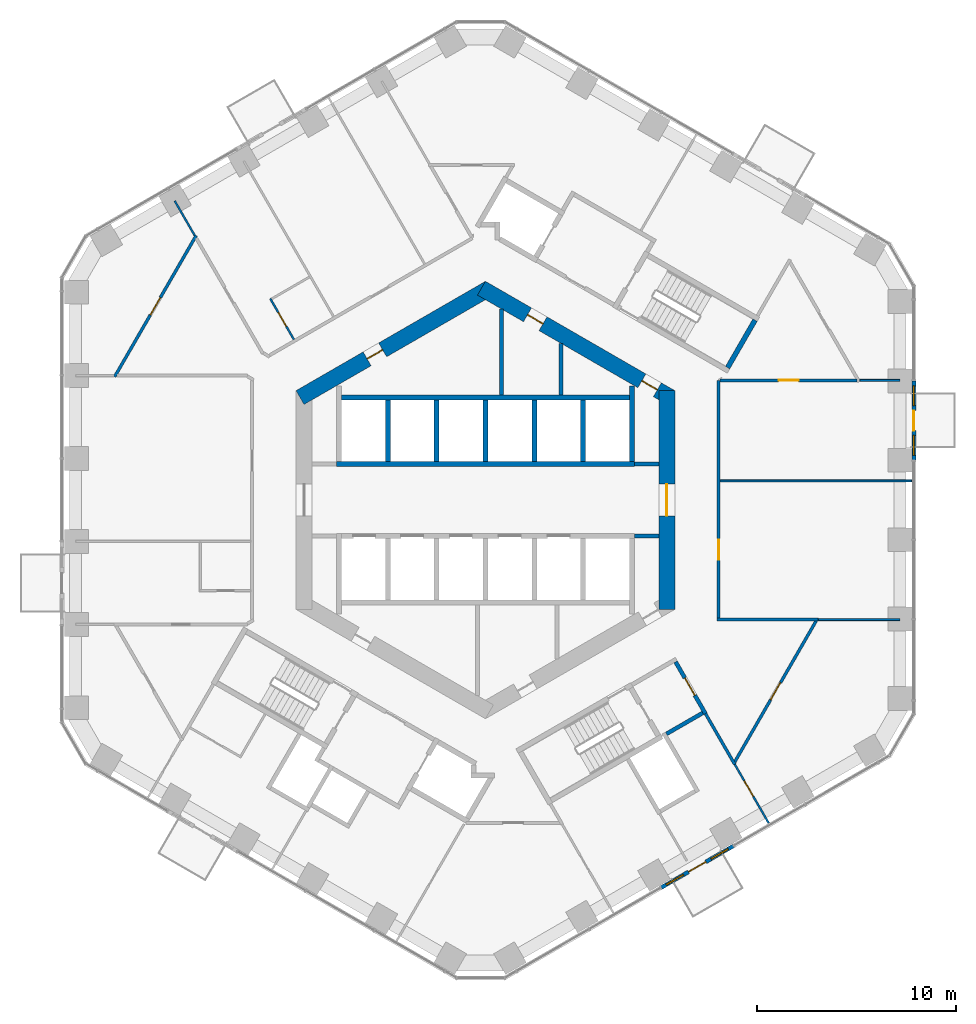
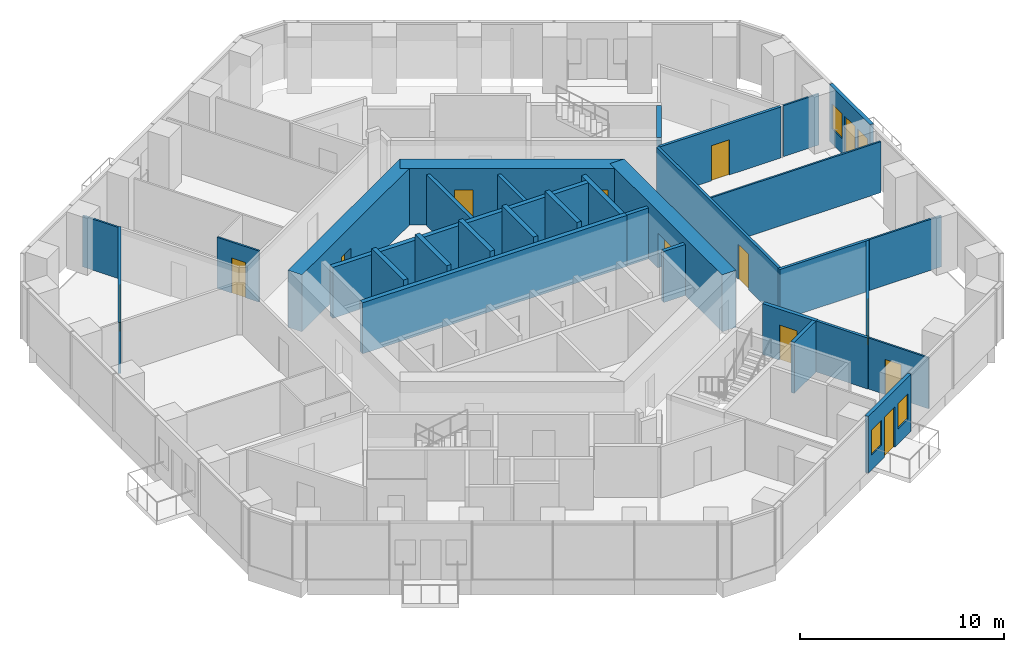
# One storey, part 14 of 19: 32 walls, 13 doors, 4 windows, 17 openings.
"""IFC4 building model written with IfcOpenShell, lengths in metres."""

from ifc_helpers import new_model, si_unit, direction, frame, frame_2d, origin, place, context, subcontext, project, spatial, rectangle, extrude, material, layer, layer_set, type_object, element, fill, save


model = new_model("IFC4")

# Units and contexts
model_context = context("Model", 3, precision=1e-05, world=origin(), true_north=direction((0.0, 1.0)))
body_context = subcontext(model_context, "Body", "Model", "MODEL_VIEW")
ifc_project = project(units=[si_unit("LENGTHUNIT", "METRE"), si_unit("AREAUNIT", "SQUARE_METRE"), si_unit("VOLUMEUNIT", "CUBIC_METRE"), si_unit("PLANEANGLEUNIT", "RADIAN"), si_unit("MASSUNIT", "GRAM", prefix="KILO")], contexts=[model_context])

# Site, building, storey
site_placement = place(None, origin())
site = spatial("IfcSite", under=ifc_project, at=site_placement, CompositionType="ELEMENT")
building_placement = place(site_placement, origin())
building = spatial("IfcBuilding", under=site, at=building_placement, Name="Ayvan Gate Tower", CompositionType="ELEMENT")
storey_placement = place(building_placement, frame((0.0, 0.0, 39.10009765625)))
storey = spatial("IfcBuildingStorey", under=building, at=storey_placement, Name="L09", CompositionType="ELEMENT", Elevation=39.10009765625)

# Wall, openings, door, windows
ifc_material_1 = material(Name="Insulated metal panel wall")
ifc_layer_1 = layer(ifc_material_1, 0.199951171875)
ifc_layer_set_1 = layer_set([ifc_layer_1], Name="Insulated metal panel wall")
wall_type_1 = type_object("IfcWallType", Name="Balcony door wall 200", PredefinedType="SOLIDWALL", material=ifc_layer_set_1)
wall_1_placement = place(storey_placement, frame((8.818603515625, -19.442626953125, 0.0), z_axis=(0.0, 0.0, 1.0), x_axis=(0.866036386482, 0.499980976928, 0.0)))
wall_1 = element("IfcWall", 1, at=wall_1_placement, inside=storey, type_object=wall_type_1, Name="EW:L09:5:2", PredefinedType="SOLIDWALL", context=body_context, shape_type="SweptSolid", body=[
    extrude(rectangle(XDim=4.169189453125, YDim=0.199951171875, at=frame_2d((2.08447265625, 0.0))), origin(), (0.0, 0.0, 1.0), 3.39990234375),
])
opening_1_placement = place(wall_1_placement, frame((1.58447265625, 0.0, 0.0)))
opening_1 = element("IfcOpeningElement", 2, at=opening_1_placement, cuts=wall_1, Name="Opening L09-D95", PredefinedType="OPENING", context=body_context, shape_type="SweptSolid", body=[
    extrude(rectangle(XDim=1.0, YDim=2.39990234375, at=frame_2d((0.5, 1.199951171875))), frame((0.0, 0.10986328125, 0.0), z_axis=(0.0, -1.0, 0.0), x_axis=(1.0, 0.0, 0.0)), (0.0, 0.0, 1.0), 0.219970703125),
])
opening_2_placement = place(wall_1_placement, frame((0.292236328125, 0.0, 0.89990234375)))
opening_2 = element("IfcOpeningElement", 3, at=opening_2_placement, cuts=wall_1, Name="Opening W-B1", PredefinedType="OPENING", context=body_context, shape_type="SweptSolid", body=[
    extrude(rectangle(XDim=1.0, YDim=1.5, at=frame_2d((0.5, 0.75))), frame((0.0, 0.10986328125, 0.0), z_axis=(0.0, -1.0, 0.0), x_axis=(1.0, 0.0, 0.0)), (0.0, 0.0, 1.0), 0.219970703125),
])
opening_3_placement = place(wall_1_placement, frame((2.876708984375, 0.0, 0.89990234375)))
opening_3 = element("IfcOpeningElement", 4, at=opening_3_placement, cuts=wall_1, Name="Opening W-B1", PredefinedType="OPENING", context=body_context, shape_type="SweptSolid", body=[
    extrude(rectangle(XDim=1.0, YDim=1.5, at=frame_2d((0.5, 0.75))), frame((0.0, 0.10986328125, 0.0), z_axis=(0.0, -1.0, 0.0), x_axis=(1.0, 0.0, 0.0)), (0.0, 0.0, 1.0), 0.219970703125),
])
ifc_material_2 = material(Name="Bronze anodised aluminium and clear glass", Category="aluminium")
door_type_1 = type_object("IfcDoorType", Name="Balcony door D-B", OperationType="SINGLE_SWING_RIGHT", PredefinedType="DOOR", material=ifc_material_2)
door_1_placement = place(opening_1_placement, origin())
door_1 = element("IfcDoor", 5, at=door_1_placement, inside=storey, type_object=door_type_1, Name="Balcony door BAL-L09-5", OperationType="SINGLE_SWING_RIGHT", OverallHeight=2.39990234375, OverallWidth=1.0, PredefinedType="DOOR", context=body_context, shape_type="SweptSolid", body=[
    extrude(rectangle(XDim=1.0, YDim=2.39990234375, at=frame_2d((0.5, 1.199951171875))), frame((0.0, 0.02490234375, 0.0), z_axis=(0.0, -1.0, 0.0), x_axis=(1.0, 0.0, 0.0)), (0.0, 0.0, 1.0), 0.050048828125),
])
fill(opening_1, door_1)
window_type = type_object("IfcWindowType", Name="Balcony side light W-B Z1", PartitioningType="SINGLE_PANEL", PredefinedType="WINDOW", material=ifc_material_2)
window_1_placement = place(opening_2_placement, origin())
window_1 = element("IfcWindow", 6, at=window_1_placement, inside=storey, type_object=window_type, Name="Balcony side light BAL-L09-5.1", OverallHeight=1.5, OverallWidth=1.0, PartitioningType="SINGLE_PANEL", PredefinedType="WINDOW", context=body_context, shape_type="SweptSolid", body=[
    extrude(rectangle(XDim=1.0, YDim=1.5, at=frame_2d((0.5, 0.75))), frame((0.0, 0.030029296875, 0.0), z_axis=(0.0, -1.0, 0.0), x_axis=(1.0, 0.0, 0.0)), (0.0, 0.0, 1.0), 0.06005859375),
])
fill(opening_2, window_1)
window_2_placement = place(opening_3_placement, origin())
window_2 = element("IfcWindow", 7, at=window_2_placement, inside=storey, type_object=window_type, Name="Balcony side light BAL-L09-5.2", OverallHeight=1.5, OverallWidth=1.0, PartitioningType="SINGLE_PANEL", PredefinedType="WINDOW", context=body_context, shape_type="SweptSolid", body=[
    extrude(rectangle(XDim=1.0, YDim=1.5, at=frame_2d((0.5, 0.75))), frame((0.0, 0.030029296875, 0.0), z_axis=(0.0, -1.0, 0.0), x_axis=(1.0, 0.0, 0.0)), (0.0, 0.0, 1.0), 0.06005859375),
])
fill(opening_3, window_2)

wall_2_placement = place(storey_placement, frame((21.484619140625, 1.991943359375, 0.0), z_axis=(0.0, 0.0, 1.0), x_axis=(0.0, 1.0, 0.0)))
wall_2 = element("IfcWall", 8, at=wall_2_placement, inside=storey, type_object=wall_type_1, Name="EW:L09:0:3", PredefinedType="SOLIDWALL", context=body_context, shape_type="SweptSolid", body=[
    extrude(rectangle(XDim=3.984130859375, YDim=0.199951171875, at=frame_2d((1.9921875, 0.0))), origin(), (0.0, 0.0, 1.0), 3.39990234375),
])
opening_4_placement = place(wall_2_placement, frame((1.491943359375, 0.0, 0.0)))
opening_4 = element("IfcOpeningElement", 9, at=opening_4_placement, cuts=wall_2, Name="Opening L09-D90", PredefinedType="OPENING", context=body_context, shape_type="SweptSolid", body=[
    extrude(rectangle(XDim=1.0, YDim=2.39990234375, at=frame_2d((0.5, 1.199951171875))), frame((0.0, 0.10986328125, 0.0), z_axis=(0.0, -1.0, 0.0), x_axis=(1.0, 0.0, 0.0)), (0.0, 0.0, 1.0), 0.219970703125),
])
opening_5_placement = place(wall_2_placement, frame((0.24609375, 0.0, 0.89990234375)))
opening_5 = element("IfcOpeningElement", 10, at=opening_5_placement, cuts=wall_2, Name="Opening W-B1", PredefinedType="OPENING", context=body_context, shape_type="SweptSolid", body=[
    extrude(rectangle(XDim=1.0, YDim=1.5, at=frame_2d((0.5, 0.75))), frame((0.0, 0.10986328125, 0.0), z_axis=(0.0, -1.0, 0.0), x_axis=(1.0, 0.0, 0.0)), (0.0, 0.0, 1.0), 0.219970703125),
])
opening_6_placement = place(wall_2_placement, frame((2.738037109375, 0.0, 0.89990234375)))
opening_6 = element("IfcOpeningElement", 11, at=opening_6_placement, cuts=wall_2, Name="Opening W-B1", PredefinedType="OPENING", context=body_context, shape_type="SweptSolid", body=[
    extrude(rectangle(XDim=1.0, YDim=1.5, at=frame_2d((0.5, 0.75))), frame((0.0, 0.10986328125, 0.0), z_axis=(0.0, -1.0, 0.0), x_axis=(1.0, 0.0, 0.0)), (0.0, 0.0, 1.0), 0.219970703125),
])
door_2_placement = place(opening_4_placement, origin())
door_2 = element("IfcDoor", 12, at=door_2_placement, inside=storey, type_object=door_type_1, Name="Balcony door BAL-L09-0", OperationType="SINGLE_SWING_RIGHT", OverallHeight=2.39990234375, OverallWidth=1.0, PredefinedType="DOOR", context=body_context, shape_type="SweptSolid", body=[
    extrude(rectangle(XDim=1.0, YDim=2.39990234375, at=frame_2d((0.5, 1.199951171875))), frame((0.0, 0.02490234375, 0.0), z_axis=(0.0, -1.0, 0.0), x_axis=(1.0, 0.0, 0.0)), (0.0, 0.0, 1.0), 0.050048828125),
])
fill(opening_4, door_2)
window_3_placement = place(opening_5_placement, origin())
window_3 = element("IfcWindow", 13, at=window_3_placement, inside=storey, type_object=window_type, Name="Balcony side light BAL-L09-0.1", OverallHeight=1.5, OverallWidth=1.0, PartitioningType="SINGLE_PANEL", PredefinedType="WINDOW", context=body_context, shape_type="SweptSolid", body=[
    extrude(rectangle(XDim=1.0, YDim=1.5, at=frame_2d((0.5, 0.75))), frame((0.0, 0.030029296875, 0.0), z_axis=(0.0, -1.0, 0.0), x_axis=(1.0, 0.0, 0.0)), (0.0, 0.0, 1.0), 0.06005859375),
])
fill(opening_5, window_3)
window_4_placement = place(opening_6_placement, origin())
window_4 = element("IfcWindow", 14, at=window_4_placement, inside=storey, type_object=window_type, Name="Balcony side light BAL-L09-0.2", OverallHeight=1.5, OverallWidth=1.0, PartitioningType="SINGLE_PANEL", PredefinedType="WINDOW", context=body_context, shape_type="SweptSolid", body=[
    extrude(rectangle(XDim=1.0, YDim=1.5, at=frame_2d((0.5, 0.75))), frame((0.0, 0.030029296875, 0.0), z_axis=(0.0, -1.0, 0.0), x_axis=(1.0, 0.0, 0.0)), (0.0, 0.0, 1.0), 0.06005859375),
])
fill(opening_6, window_4)

# Wall, opening, door
ifc_material_3 = material(Name="Concrete C70/85", Category="concrete")
ifc_layer_2 = layer(ifc_material_3, 0.800048828125)
ifc_layer_set_2 = layer_set([ifc_layer_2], Name="Concrete C70/85")
wall_type_2 = type_object("IfcWallType", Name="Core wall 800 C70/85", PredefinedType="SHEAR", material=ifc_layer_set_2)
wall_3_placement = place(storey_placement, frame((9.10009765625, -5.48486328125, 0.0), z_axis=(0.0, 0.0, 1.0), x_axis=(0.0, 1.0, 0.0)))
wall_3 = element("IfcWall", 15, at=wall_3_placement, inside=storey, type_object=wall_type_2, Name="CORE-L09-0", PredefinedType="SHEAR", context=body_context, shape_type="SweptSolid", body=[
    extrude(rectangle(XDim=10.9697265625, YDim=0.800048828125, at=frame_2d((5.48486328125, 0.0))), origin(), (0.0, 0.0, 1.0), 3.39990234375),
])
opening_7_placement = place(wall_3_placement, frame((4.684814453125, 0.0, 0.0)))
opening_7 = element("IfcOpeningElement", 16, at=opening_7_placement, cuts=wall_3, Name="Opening L09-D102", PredefinedType="OPENING", context=body_context, shape_type="SweptSolid", body=[
    extrude(rectangle(XDim=1.60009765625, YDim=2.10009765625, at=frame_2d((0.800048828125, 1.050048828125))), frame((0.0, 0.409912109375, 0.0), z_axis=(0.0, -1.0, 0.0), x_axis=(1.0, 0.0, 0.0)), (0.0, 0.0, 1.0), 0.820068359375),
])
ifc_material_4 = material(Name="Timber door leaf", Category="wood")
door_type_2 = type_object("IfcDoorType", Name="DT-1600", OperationType="NOTDEFINED", PredefinedType="DOOR", material=ifc_material_4)
door_3_placement = place(opening_7_placement, origin())
door_3 = element("IfcDoor", 17, at=door_3_placement, inside=storey, type_object=door_type_2, Name="CD-L09-102", OperationType="SINGLE_SWING_LEFT", OverallHeight=2.10009765625, OverallWidth=1.60009765625, PredefinedType="DOOR", context=body_context, shape_type="SweptSolid", body=[
    extrude(rectangle(XDim=1.60009765625, YDim=2.10009765625, at=frame_2d((0.800048828125, 1.050048828125))), frame((0.0, 0.02490234375, 0.0), z_axis=(0.0, -1.0, 0.0), x_axis=(1.0, 0.0, 0.0)), (0.0, 0.0, 1.0), 0.050048828125),
])
fill(opening_7, door_3)

# Wall, openings, doors
wall_4_placement = place(storey_placement, frame((9.300048828125, 5.138427734375, 0.0), z_axis=(0.0, 0.0, 1.0), x_axis=(-0.866023993627, 0.500002442456, 0.0)))
wall_4 = element("IfcWall", 18, at=wall_4_placement, inside=storey, type_object=wall_type_2, Name="CORE-L09-1", PredefinedType="SHEAR", context=body_context, shape_type="SweptSolid", body=[
    extrude(rectangle(XDim=10.9697265625, YDim=0.800048828125, at=frame_2d((5.48486328125, 0.0))), origin(), (0.0, 0.0, 1.0), 3.39990234375),
])
opening_8_placement = place(wall_4_placement, frame((7.402587890625, 0.0, 0.0)))
opening_8 = element("IfcOpeningElement", 19, at=opening_8_placement, cuts=wall_4, Name="Opening L09-D97", PredefinedType="OPENING", context=body_context, shape_type="SweptSolid", body=[
    extrude(rectangle(XDim=0.89990234375, YDim=2.10009765625, at=frame_2d((0.449951171875, 1.050048828125))), frame((0.0, 0.409912109375, 0.0), z_axis=(0.0, -1.0, 0.0), x_axis=(1.0, 0.0, 0.0)), (0.0, 0.0, 1.0), 0.820068359375),
])
opening_9_placement = place(wall_4_placement, frame((0.779541015625, 0.0, 0.0)))
opening_9 = element("IfcOpeningElement", 20, at=opening_9_placement, cuts=wall_4, Name="Opening L09-D98", PredefinedType="OPENING", context=body_context, shape_type="SweptSolid", body=[
    extrude(rectangle(XDim=0.89990234375, YDim=2.10009765625, at=frame_2d((0.449951171875, 1.050048828125))), frame((0.0, 0.409912109375, 0.0), z_axis=(0.0, -1.0, 0.0), x_axis=(1.0, 0.0, 0.0)), (0.0, 0.0, 1.0), 0.820068359375),
])
door_type_3 = type_object("IfcDoorType", Name="DT-900", OperationType="NOTDEFINED", PredefinedType="DOOR", material=ifc_material_4)
door_4_placement = place(opening_8_placement, origin())
door_4 = element("IfcDoor", 21, at=door_4_placement, inside=storey, type_object=door_type_3, Name="CD-L09-97", OperationType="SINGLE_SWING_RIGHT", OverallHeight=2.10009765625, OverallWidth=0.89990234375, PredefinedType="DOOR", context=body_context, shape_type="SweptSolid", body=[
    extrude(rectangle(XDim=0.89990234375, YDim=2.10009765625, at=frame_2d((0.449951171875, 1.050048828125))), frame((0.0, 0.02490234375, 0.0), z_axis=(0.0, -1.0, 0.0), x_axis=(1.0, 0.0, 0.0)), (0.0, 0.0, 1.0), 0.050048828125),
])
fill(opening_8, door_4)
door_5_placement = place(opening_9_placement, origin())
door_5 = element("IfcDoor", 22, at=door_5_placement, inside=storey, type_object=door_type_3, Name="CD-L09-98", OperationType="SINGLE_SWING_LEFT", OverallHeight=2.10009765625, OverallWidth=0.89990234375, PredefinedType="DOOR", context=body_context, shape_type="SweptSolid", body=[
    extrude(rectangle(XDim=0.89990234375, YDim=2.10009765625, at=frame_2d((0.449951171875, 1.050048828125))), frame((0.0, 0.02490234375, 0.0), z_axis=(0.0, -1.0, 0.0), x_axis=(1.0, 0.0, 0.0)), (0.0, 0.0, 1.0), 0.050048828125),
])
fill(opening_9, door_5)

# Wall, opening, door
wall_5_placement = place(storey_placement, frame((0.199951171875, 10.623291015625, 0.0), z_axis=(0.0, 0.0, 1.0), x_axis=(-0.866023993627, -0.500002442456, 0.0)))
wall_5 = element("IfcWall", 23, at=wall_5_placement, inside=storey, type_object=wall_type_2, Name="CORE-L09-2", PredefinedType="SHEAR", context=body_context, shape_type="SweptSolid", body=[
    extrude(rectangle(XDim=10.9697265625, YDim=0.800048828125, at=frame_2d((5.48486328125, 0.0))), origin(), (0.0, 0.0, 1.0), 3.39990234375),
])
opening_10_placement = place(wall_5_placement, frame((6.184814453125, 0.0, 0.0)))
opening_10 = element("IfcOpeningElement", 24, at=opening_10_placement, cuts=wall_5, Name="Opening L09-D96", PredefinedType="OPENING", context=body_context, shape_type="SweptSolid", body=[
    extrude(rectangle(XDim=0.89990234375, YDim=2.10009765625, at=frame_2d((0.449951171875, 1.050048828125))), frame((0.0, 0.409912109375, 0.0), z_axis=(0.0, -1.0, 0.0), x_axis=(1.0, 0.0, 0.0)), (0.0, 0.0, 1.0), 0.820068359375),
])
door_6_placement = place(opening_10_placement, origin())
door_6 = element("IfcDoor", 25, at=door_6_placement, inside=storey, type_object=door_type_3, Name="CD-L09-96", OperationType="SINGLE_SWING_LEFT", OverallHeight=2.10009765625, OverallWidth=0.89990234375, PredefinedType="DOOR", context=body_context, shape_type="SweptSolid", body=[
    extrude(rectangle(XDim=0.89990234375, YDim=2.10009765625, at=frame_2d((0.449951171875, 1.050048828125))), frame((0.0, 0.02490234375, 0.0), z_axis=(0.0, -1.0, 0.0), x_axis=(1.0, 0.0, 0.0)), (0.0, 0.0, 1.0), 0.050048828125),
])
fill(opening_10, door_6)

ifc_material_5 = material(Name="Plasterboard on steel stud", Category="steel")
ifc_layer_3 = layer(ifc_material_5, 0.14990234375)
ifc_layer_set_3 = layer_set([ifc_layer_3], Name="Plasterboard on steel stud")
wall_type_3 = type_object("IfcWallType", Name="WT-CORR-150", PredefinedType="PARTITIONING", material=ifc_layer_set_3)
wall_6_placement = place(storey_placement, frame((-18.60205078125, 6.177978515625, 0.0), z_axis=(0.0, 0.0, 1.0), x_axis=(0.500007281186, 0.866021199949, 0.0)))
wall_6 = element("IfcWall", 26, at=wall_6_placement, inside=storey, type_object=wall_type_3, Name="IW-L09-003", PredefinedType="PARTITIONING", context=body_context, shape_type="SweptSolid", body=[
    extrude(rectangle(XDim=8.1865234375, YDim=0.14990234375, at=frame_2d((4.09326171875, 0.0))), origin(), (0.0, 0.0, 1.0), 3.0498046875),
])
opening_11_placement = place(wall_6_placement, frame((3.593017578125, 0.0, 0.0)))
opening_11 = element("IfcOpeningElement", 27, at=opening_11_placement, cuts=wall_6, Name="Opening L09-D21", PredefinedType="OPENING", context=body_context, shape_type="SweptSolid", body=[
    extrude(rectangle(XDim=1.0, YDim=2.10009765625, at=frame_2d((0.5, 1.050048828125))), frame((0.0, 0.0849609375, 0.0), z_axis=(0.0, -1.0, 0.0), x_axis=(1.0, 0.0, 0.0)), (0.0, 0.0, 1.0), 0.169921875),
])
door_type_4 = type_object("IfcDoorType", Name="DT-1000", OperationType="NOTDEFINED", PredefinedType="DOOR", material=ifc_material_4)
door_7_placement = place(opening_11_placement, origin())
door_7 = element("IfcDoor", 28, at=door_7_placement, inside=storey, type_object=door_type_4, Name="ID-L09-021", OperationType="SINGLE_SWING_RIGHT", OverallHeight=2.10009765625, OverallWidth=1.0, PredefinedType="DOOR", context=body_context, shape_type="SweptSolid", body=[
    extrude(rectangle(XDim=1.0, YDim=2.10009765625, at=frame_2d((0.5, 1.050048828125))), frame((0.0, 0.02490234375, 0.0), z_axis=(0.0, -1.0, 0.0), x_axis=(1.0, 0.0, 0.0)), (0.0, 0.0, 1.0), 0.050048828125),
])
fill(opening_11, door_7)

# Wall
wall_7_placement = place(storey_placement, frame((11.625, -5.996337890625, 0.0), z_axis=(0.0, 0.0, 1.0), x_axis=(1.0, 0.0, 0.0)))
element("IfcWall", 29, at=wall_7_placement, inside=storey, type_object=wall_type_3, Name="IW-L09-105", PredefinedType="PARTITIONING", context=body_context, shape_type="SweptSolid", body=[
    extrude(rectangle(XDim=5.07861328125, YDim=0.14990234375, at=frame_2d((2.539306640625, 0.0))), origin(), (0.0, 0.0, 1.0), 3.0498046875),
])

# Wall, opening, door
wall_8_placement = place(storey_placement, frame((11.699951171875, -5.92138671875, 0.0), z_axis=(0.0, 0.0, 1.0), x_axis=(0.0, 1.0, 0.0)))
wall_8 = element("IfcWall", 30, at=wall_8_placement, inside=storey, type_object=wall_type_3, Name="IW-L09-106", PredefinedType="PARTITIONING", context=body_context, shape_type="SweptSolid", body=[
    extrude(rectangle(XDim=11.917724609375, YDim=0.14990234375, at=frame_2d((5.958984375, 0.0))), origin(), (0.0, 0.0, 1.0), 3.0498046875),
])
opening_12_placement = place(wall_8_placement, frame((2.92529296875, 0.0, 0.0)))
opening_12 = element("IfcOpeningElement", 31, at=opening_12_placement, cuts=wall_8, Name="Opening L09-D17", PredefinedType="OPENING", context=body_context, shape_type="SweptSolid", body=[
    extrude(rectangle(XDim=1.0, YDim=2.10009765625, at=frame_2d((0.5, 1.050048828125))), frame((0.0, 0.0849609375, 0.0), z_axis=(0.0, -1.0, 0.0), x_axis=(1.0, 0.0, 0.0)), (0.0, 0.0, 1.0), 0.169921875),
])
door_8_placement = place(opening_12_placement, origin())
door_8 = element("IfcDoor", 32, at=door_8_placement, inside=storey, type_object=door_type_4, Name="ID-L09-017", OperationType="SINGLE_SWING_RIGHT", OverallHeight=2.10009765625, OverallWidth=1.0, PredefinedType="DOOR", context=body_context, shape_type="SweptSolid", body=[
    extrude(rectangle(XDim=1.0, YDim=2.10009765625, at=frame_2d((0.5, 1.050048828125))), frame((0.0, 0.02490234375, 0.0), z_axis=(0.0, -1.0, 0.0), x_axis=(1.0, 0.0, 0.0)), (0.0, 0.0, 1.0), 0.050048828125),
])
fill(opening_12, door_8)

# Wall
wall_9_placement = place(storey_placement, frame((12.507568359375, -13.263916015625, 0.0), z_axis=(0.0, 0.0, 1.0), x_axis=(-0.499942839543, 0.866058402875, 0.0)))
element("IfcWall", 33, at=wall_9_placement, inside=storey, type_object=wall_type_3, Name="IW-L09-109", PredefinedType="PARTITIONING", context=body_context, shape_type="SweptSolid", body=[
    extrude(rectangle(XDim=2.940673828125, YDim=0.14990234375, at=frame_2d((1.47021484375, 0.0))), origin(), (0.0, 0.0, 1.0), 3.0498046875),
])

# Wall, opening, door
wall_10_placement = place(storey_placement, frame((16.591064453125, -6.061279296875, 0.0), z_axis=(0.0, 0.0, 1.0), x_axis=(-0.500016592557, -0.866015823855, 0.0)))
wall_10 = element("IfcWall", 34, at=wall_10_placement, inside=storey, type_object=wall_type_3, Name="IW-L09-114", PredefinedType="PARTITIONING", context=body_context, shape_type="SweptSolid", body=[
    extrude(rectangle(XDim=8.166748046875, YDim=0.14990234375, at=frame_2d((4.08349609375, 0.0))), origin(), (0.0, 0.0, 1.0), 3.0498046875),
])
opening_13_placement = place(wall_10_placement, frame((3.58349609375, 0.0, 0.0)))
opening_13 = element("IfcOpeningElement", 35, at=opening_13_placement, cuts=wall_10, Name="Opening L09-D31", PredefinedType="OPENING", context=body_context, shape_type="SweptSolid", body=[
    extrude(rectangle(XDim=1.0, YDim=2.10009765625, at=frame_2d((0.5, 1.050048828125))), frame((0.0, 0.0849609375, 0.0), z_axis=(0.0, -1.0, 0.0), x_axis=(1.0, 0.0, 0.0)), (0.0, 0.0, 1.0), 0.169921875),
])
door_9_placement = place(opening_13_placement, origin())
door_9 = element("IfcDoor", 36, at=door_9_placement, inside=storey, type_object=door_type_4, Name="ID-L09-031", OperationType="SINGLE_SWING_RIGHT", OverallHeight=2.10009765625, OverallWidth=1.0, PredefinedType="DOOR", context=body_context, shape_type="SweptSolid", body=[
    extrude(rectangle(XDim=1.0, YDim=2.10009765625, at=frame_2d((0.5, 1.050048828125))), frame((0.0, 0.02490234375, 0.0), z_axis=(0.0, -1.0, 0.0), x_axis=(1.0, 0.0, 0.0)), (0.0, 0.0, 1.0), 0.050048828125),
])
fill(opening_13, door_9)

wall_11_placement = place(storey_placement, frame((18.6318359375, 5.996337890625, 0.0), z_axis=(0.0, 0.0, 1.0), x_axis=(-1.0, 0.0, 0.0)))
wall_11 = element("IfcWall", 37, at=wall_11_placement, inside=storey, type_object=wall_type_3, Name="IW-L09-116", PredefinedType="PARTITIONING", context=body_context, shape_type="SweptSolid", body=[
    extrude(rectangle(XDim=6.85595703125, YDim=0.14990234375, at=frame_2d((3.427978515625, 0.0))), origin(), (0.0, 0.0, 1.0), 3.0498046875),
])
opening_14_placement = place(wall_11_placement, frame((2.927978515625, 0.0, 0.0)))
opening_14 = element("IfcOpeningElement", 38, at=opening_14_placement, cuts=wall_11, Name="Opening L09-D18", PredefinedType="OPENING", context=body_context, shape_type="SweptSolid", body=[
    extrude(rectangle(XDim=1.0, YDim=2.10009765625, at=frame_2d((0.5, 1.050048828125))), frame((0.0, 0.0849609375, 0.0), z_axis=(0.0, -1.0, 0.0), x_axis=(1.0, 0.0, 0.0)), (0.0, 0.0, 1.0), 0.169921875),
])
door_10_placement = place(opening_14_placement, origin())
door_10 = element("IfcDoor", 39, at=door_10_placement, inside=storey, type_object=door_type_4, Name="ID-L09-018", OperationType="SINGLE_SWING_LEFT", OverallHeight=2.10009765625, OverallWidth=1.0, PredefinedType="DOOR", context=body_context, shape_type="SweptSolid", body=[
    extrude(rectangle(XDim=1.0, YDim=2.10009765625, at=frame_2d((0.5, 1.050048828125))), frame((0.0, 0.02490234375, 0.0), z_axis=(0.0, -1.0, 0.0), x_axis=(1.0, 0.0, 0.0)), (0.0, 0.0, 1.0), 0.050048828125),
])
fill(opening_14, door_10)

# Wall
ifc_layer_4 = layer(ifc_material_5, 0.10009765625)
ifc_layer_set_4 = layer_set([ifc_layer_4], Name="Plasterboard on steel stud")
wall_type_4 = type_object("IfcWallType", Name="WT-PART-100", PredefinedType="PARTITIONING", material=ifc_layer_set_4)
wall_12_placement = place(storey_placement, frame((-15.585205078125, 15.001708984375, 0.0), z_axis=(0.0, 0.0, 1.0), x_axis=(0.500007410291, -0.866021125408, 0.0)))
element("IfcWall", 40, at=wall_12_placement, inside=storey, type_object=wall_type_4, Name="IW-L09-004", PredefinedType="PARTITIONING", context=body_context, shape_type="SweptSolid", body=[
    extrude(rectangle(XDim=2.00244140625, YDim=0.10009765625, at=frame_2d((1.001220703125, 0.0))), origin(), (0.0, 0.0, 1.0), 3.0498046875),
])

# Wall, opening, door
wall_13_placement = place(storey_placement, frame((-10.795654296875, 10.106201171875, 0.0), z_axis=(0.0, 0.0, 1.0), x_axis=(0.499986429846, -0.866033238375, 0.0)))
wall_13 = element("IfcWall", 41, at=wall_13_placement, inside=storey, type_object=wall_type_4, Name="IW-L09-024", PredefinedType="PARTITIONING", context=body_context, shape_type="SweptSolid", body=[
    extrude(rectangle(XDim=2.375, YDim=0.10009765625, at=frame_2d((1.1875, 0.0))), origin(), (0.0, 0.0, 1.0), 3.0498046875),
])
opening_15_placement = place(wall_13_placement, frame((0.8125, 0.0, 0.0)))
opening_15 = element("IfcOpeningElement", 42, at=opening_15_placement, cuts=wall_13, Name="Opening L09-D36", PredefinedType="OPENING", context=body_context, shape_type="SweptSolid", body=[
    extrude(rectangle(XDim=0.800048828125, YDim=2.10009765625, at=frame_2d((0.39990234375, 1.050048828125))), frame((0.0, 0.06005859375, 0.0), z_axis=(0.0, -1.0, 0.0), x_axis=(1.0, 0.0, 0.0)), (0.0, 0.0, 1.0), 0.1201171875),
])
door_type_5 = type_object("IfcDoorType", Name="DT-800", OperationType="NOTDEFINED", PredefinedType="DOOR", material=ifc_material_4)
door_11_placement = place(opening_15_placement, origin())
door_11 = element("IfcDoor", 43, at=door_11_placement, inside=storey, type_object=door_type_5, Name="ID-L09-036", OperationType="SINGLE_SWING_LEFT", OverallHeight=2.10009765625, OverallWidth=0.800048828125, PredefinedType="DOOR", context=body_context, shape_type="SweptSolid", body=[
    extrude(rectangle(XDim=0.800048828125, YDim=2.10009765625, at=frame_2d((0.39990234375, 1.050048828125))), frame((0.0, 0.02490234375, 0.0), z_axis=(0.0, -1.0, 0.0), x_axis=(1.0, 0.0, 0.0)), (0.0, 0.0, 1.0), 0.050048828125),
])
fill(opening_15, door_11)

# Wall
wall_14_placement = place(storey_placement, frame((11.77490234375, 0.95947265625, 0.0), z_axis=(0.0, 0.0, 1.0), x_axis=(1.0, 0.0, 0.0)))
element("IfcWall", 44, at=wall_14_placement, inside=storey, type_object=wall_type_4, Name="IW-L09-107", PredefinedType="PARTITIONING", context=body_context, shape_type="SweptSolid", body=[
    extrude(rectangle(XDim=9.605712890625, YDim=0.10009765625, at=frame_2d((4.802734375, 0.0))), origin(), (0.0, 0.0, 1.0), 3.0498046875),
])

# Wall, opening, door
wall_15_placement = place(storey_placement, frame((14.208984375, -16.210693359375, 0.0), z_axis=(0.0, 0.0, 1.0), x_axis=(-0.500020569521, 0.86601352764, 0.0)))
wall_15 = element("IfcWall", 45, at=wall_15_placement, inside=storey, type_object=wall_type_4, Name="IW-L09-112", PredefinedType="PARTITIONING", context=body_context, shape_type="SweptSolid", body=[
    extrude(rectangle(XDim=3.402587890625, YDim=0.10009765625, at=frame_2d((1.701171875, 0.0))), origin(), (0.0, 0.0, 1.0), 3.0498046875),
])
opening_16_placement = place(wall_15_placement, frame((1.54931640625, 0.0, 0.0)))
opening_16 = element("IfcOpeningElement", 46, at=opening_16_placement, cuts=wall_15, Name="Opening L09-D32", PredefinedType="OPENING", context=body_context, shape_type="SweptSolid", body=[
    extrude(rectangle(XDim=0.89990234375, YDim=2.10009765625, at=frame_2d((0.449951171875, 1.050048828125))), frame((0.0, 0.06005859375, 0.0), z_axis=(0.0, -1.0, 0.0), x_axis=(1.0, 0.0, 0.0)), (0.0, 0.0, 1.0), 0.1201171875),
])
door_12_placement = place(opening_16_placement, origin())
door_12 = element("IfcDoor", 47, at=door_12_placement, inside=storey, type_object=door_type_3, Name="ID-L09-032", OperationType="SINGLE_SWING_LEFT", OverallHeight=2.10009765625, OverallWidth=0.89990234375, PredefinedType="DOOR", context=body_context, shape_type="SweptSolid", body=[
    extrude(rectangle(XDim=0.89990234375, YDim=2.10009765625, at=frame_2d((0.449951171875, 1.050048828125))), frame((0.0, 0.02490234375, 0.0), z_axis=(0.0, -1.0, 0.0), x_axis=(1.0, 0.0, 0.0)), (0.0, 0.0, 1.0), 0.050048828125),
])
fill(opening_16, door_12)

# Walls
wall_16_placement = place(storey_placement, frame((18.78173828125, 5.996337890625, 0.0), z_axis=(0.0, 0.0, 1.0), x_axis=(1.0, 0.0, 0.0)))
element("IfcWall", 48, at=wall_16_placement, inside=storey, type_object=wall_type_4, Name="IW-L09-115", PredefinedType="PARTITIONING", context=body_context, shape_type="SweptSolid", body=[
    extrude(rectangle(XDim=2.0029296875, YDim=0.10009765625, at=frame_2d((1.00146484375, 0.0))), origin(), (0.0, 0.0, 1.0), 3.0498046875),
])
wall_17_placement = place(storey_placement, frame((20.78466796875, -5.996337890625, 0.0), z_axis=(0.0, 0.0, 1.0), x_axis=(-1.0, 0.0, 0.0)))
element("IfcWall", 49, at=wall_17_placement, inside=storey, type_object=wall_type_4, Name="IW-L09-117", PredefinedType="PARTITIONING", context=body_context, shape_type="SweptSolid", body=[
    extrude(rectangle(XDim=4.0810546875, YDim=0.10009765625, at=frame_2d((2.04052734375, 0.0))), origin(), (0.0, 0.0, 1.0), 3.0498046875),
])
ifc_layer_5 = layer(ifc_material_5, 0.199951171875)
ifc_layer_set_5 = layer_set([ifc_layer_5], Name="Plasterboard on steel stud")
wall_type_5 = type_object("IfcWallType", Name="WT-RATED-200", PredefinedType="PARTITIONING", material=ifc_layer_set_5)
wall_18_placement = place(storey_placement, frame((0.800048828125, 9.583984375, 0.0), z_axis=(0.0, 0.0, 1.0), x_axis=(0.0, -1.0, 0.0)))
element("IfcWall", 50, at=wall_18_placement, inside=storey, type_object=wall_type_5, Name="IW-L09-068", PredefinedType="PARTITIONING", context=body_context, shape_type="SweptSolid", body=[
    extrude(rectangle(XDim=4.30908203125, YDim=0.199951171875, at=frame_2d((2.154541015625, 0.0))), origin(), (0.0, 0.0, 1.0), 3.0498046875),
])
wall_19_placement = place(storey_placement, frame((3.800048828125, 7.85205078125, 0.0), z_axis=(0.0, 0.0, 1.0), x_axis=(0.0, -1.0, 0.0)))
element("IfcWall", 51, at=wall_19_placement, inside=storey, type_object=wall_type_5, Name="IW-L09-079", PredefinedType="PARTITIONING", context=body_context, shape_type="SweptSolid", body=[
    extrude(rectangle(XDim=2.5771484375, YDim=0.199951171875, at=frame_2d((1.28857421875, 0.0))), origin(), (0.0, 0.0, 1.0), 3.0498046875),
])
for number, where, z_axis, x_axis, name in (
    (52, (7.474853515625, 1.800048828125, 0.0), (0.0, 0.0, 1.0), (1.0, 0.0, 0.0), "IW-L09-091"),
    (53, (8.699951171875, -1.800048828125, 0.0), (0.0, 0.0, 1.0), (-1.0, 0.0, 0.0), "IW-L09-099"),
):
    element("IfcWall", number, at=place(storey_placement, frame(where, z_axis=z_axis, x_axis=x_axis)), inside=storey, type_object=wall_type_5, Name=name, PredefinedType="PARTITIONING", context=body_context, shape_type="SweptSolid", body=[
        extrude(rectangle(XDim=1.22509765625, YDim=0.199951171875, at=frame_2d((0.612548828125, 0.0))), origin(), (0.0, 0.0, 1.0), 3.0498046875),
    ])

# Wall, opening, door
wall_20_placement = place(storey_placement, frame((9.537353515625, -8.119140625, 0.0), z_axis=(0.0, 0.0, 1.0), x_axis=(0.499990139034, -0.866031096941, 0.0)))
wall_20 = element("IfcWall", 54, at=wall_20_placement, inside=storey, type_object=wall_type_5, Name="IW-L09-102", PredefinedType="PARTITIONING", context=body_context, shape_type="SweptSolid", body=[
    extrude(rectangle(XDim=3.0, YDim=0.199951171875, at=frame_2d((1.5, 0.0))), origin(), (0.0, 0.0, 1.0), 3.0498046875),
])
opening_17_placement = place(wall_20_placement, frame((0.93505859375, 0.0, 0.0)))
opening_17 = element("IfcOpeningElement", 55, at=opening_17_placement, cuts=wall_20, Name="Opening L09-D15", PredefinedType="OPENING", context=body_context, shape_type="SweptSolid", body=[
    extrude(rectangle(XDim=1.0, YDim=2.10009765625, at=frame_2d((0.5, 1.050048828125))), frame((0.0, 0.10986328125, 0.0), z_axis=(0.0, -1.0, 0.0), x_axis=(1.0, 0.0, 0.0)), (0.0, 0.0, 1.0), 0.219970703125),
])
door_13_placement = place(opening_17_placement, origin())
door_13 = element("IfcDoor", 56, at=door_13_placement, inside=storey, type_object=door_type_4, Name="ID-L09-015", OperationType="SINGLE_SWING_RIGHT", OverallHeight=2.10009765625, OverallWidth=1.0, PredefinedType="DOOR", context=body_context, shape_type="SweptSolid", body=[
    extrude(rectangle(XDim=1.0, YDim=2.10009765625, at=frame_2d((0.5, 1.050048828125))), frame((0.0, 0.02490234375, 0.0), z_axis=(0.0, -1.0, 0.0), x_axis=(1.0, 0.0, 0.0)), (0.0, 0.0, 1.0), 0.050048828125),
])
fill(opening_17, door_13)

# Walls
wall_21_placement = place(storey_placement, frame((10.900634765625, -10.6806640625, 0.0), z_axis=(0.0, 0.0, 1.0), x_axis=(-0.866009402589, -0.500027713859, 0.0)))
element("IfcWall", 57, at=wall_21_placement, inside=storey, type_object=wall_type_5, Name="IW-L09-104", PredefinedType="PARTITIONING", context=body_context, shape_type="SweptSolid", body=[
    extrude(rectangle(XDim=2.10009765625, YDim=0.199951171875, at=frame_2d((1.050048828125, 0.0))), origin(), (0.0, 0.0, 1.0), 3.0498046875),
])
ifc_material_6 = material(Name="Concrete C50/60", Category="concrete")
ifc_layer_6 = layer(ifc_material_6, 0.25)
ifc_layer_set_6 = layer_set([ifc_layer_6], Name="Concrete C50/60")
wall_type_6 = type_object("IfcWallType", Name="WT-RC-250", PredefinedType="SHEAR", material=ifc_layer_set_6)
wall_22_placement = place(storey_placement, frame((-7.47509765625, 1.800048828125, 0.0), z_axis=(0.0, 0.0, 1.0), x_axis=(1.0, 0.0, 0.0)))
element("IfcWall", 58, at=wall_22_placement, inside=storey, type_object=wall_type_6, Name="IW-L09-033", PredefinedType="SHEAR", context=body_context, shape_type="SweptSolid", body=[
    extrude(rectangle(XDim=14.9501953125, YDim=0.25, at=frame_2d((7.47509765625, 0.0))), origin(), (0.0, 0.0, 1.0), 3.0498046875),
])
wall_23_placement = place(storey_placement, frame((-7.22509765625, 5.14990234375, 0.0), z_axis=(0.0, 0.0, 1.0), x_axis=(1.0, 0.0, 0.0)))
element("IfcWall", 59, at=wall_23_placement, inside=storey, type_object=wall_type_6, Name="IW-L09-036", PredefinedType="SHEAR", context=body_context, shape_type="SweptSolid", body=[
    extrude(rectangle(XDim=14.7001953125, YDim=0.25, at=frame_2d((7.35009765625, 0.0))), origin(), (0.0, 0.0, 1.0), 3.0498046875),
])
for number, where, z_axis, x_axis, name in (
    (60, (-4.89990234375, 5.02490234375, 0.0), (0.0, 0.0, 1.0), (0.0, -1.0, 0.0), "IW-L09-044"),
    (61, (-2.449951171875, 5.02490234375, 0.0), (0.0, 0.0, 1.0), (0.0, -1.0, 0.0), "IW-L09-055"),
    (62, (0.0, 5.02490234375, 0.0), (0.0, 0.0, 1.0), (0.0, -1.0, 0.0), "IW-L09-064"),
    (63, (2.449951171875, 5.02490234375, 0.0), (0.0, 0.0, 1.0), (0.0, -1.0, 0.0), "IW-L09-073"),
    (64, (4.89990234375, 5.02490234375, 0.0), (0.0, 0.0, 1.0), (0.0, -1.0, 0.0), "IW-L09-085"),
):
    element("IfcWall", number, at=place(storey_placement, frame(where, z_axis=z_axis, x_axis=x_axis)), inside=storey, type_object=wall_type_6, Name=name, PredefinedType="SHEAR", context=body_context, shape_type="SweptSolid", body=[
        extrude(rectangle(XDim=3.099853515625, YDim=0.25, at=frame_2d((1.5498046875, 0.0))), origin(), (0.0, 0.0, 1.0), 3.39990234375),
    ])
wall_24_placement = place(storey_placement, frame((7.35009765625, 5.730224609375, 0.0), z_axis=(0.0, 0.0, 1.0), x_axis=(0.0, -1.0, 0.0)))
element("IfcWall", 65, at=wall_24_placement, inside=storey, type_object=wall_type_6, Name="IW-L09-093", PredefinedType="SHEAR", context=body_context, shape_type="SweptSolid", body=[
    extrude(rectangle(XDim=3.80517578125, YDim=0.25, at=frame_2d((1.902587890625, 0.0))), origin(), (0.0, 0.0, 1.0), 3.0498046875),
])
wall_25_placement = place(storey_placement, frame((13.52294921875, 9.022216796875, 0.0), z_axis=(0.0, 0.0, 1.0), x_axis=(-0.500034990121, -0.866005201286, 0.0)))
element("IfcWall", 66, at=wall_25_placement, inside=storey, type_object=wall_type_6, Name="IW-L09-111", PredefinedType="SHEAR", context=body_context, shape_type="SweptSolid", body=[
    extrude(rectangle(XDim=2.749755859375, YDim=0.25, at=frame_2d((1.375, 0.0))), origin(), (0.0, 0.0, 1.0), 3.0498046875),
])

save(model, "model.ifc")
